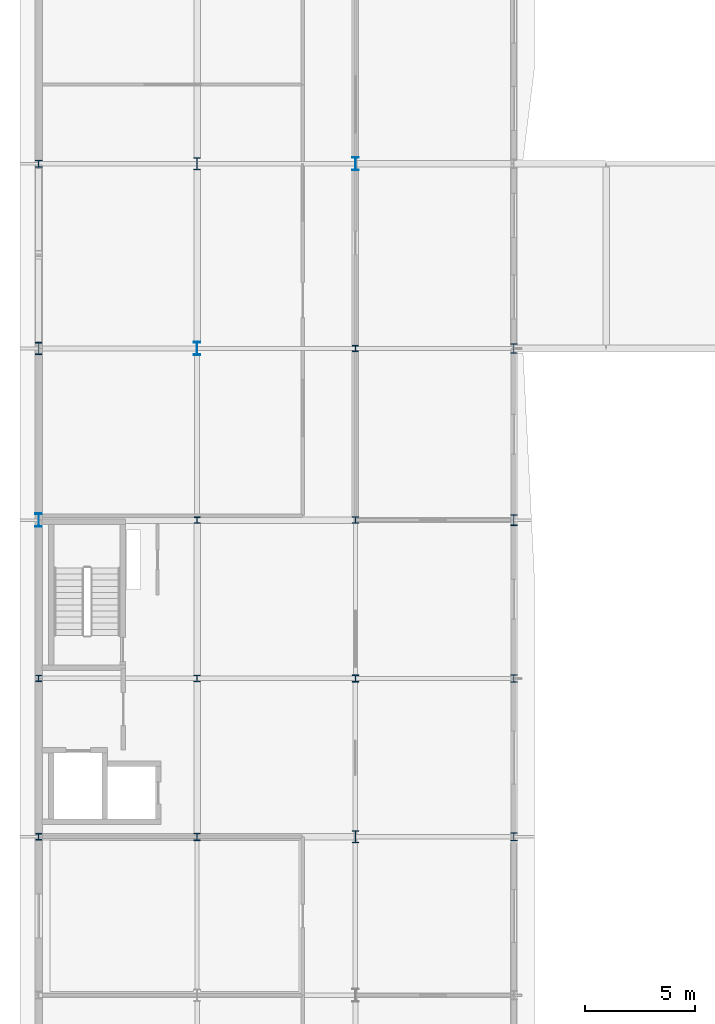
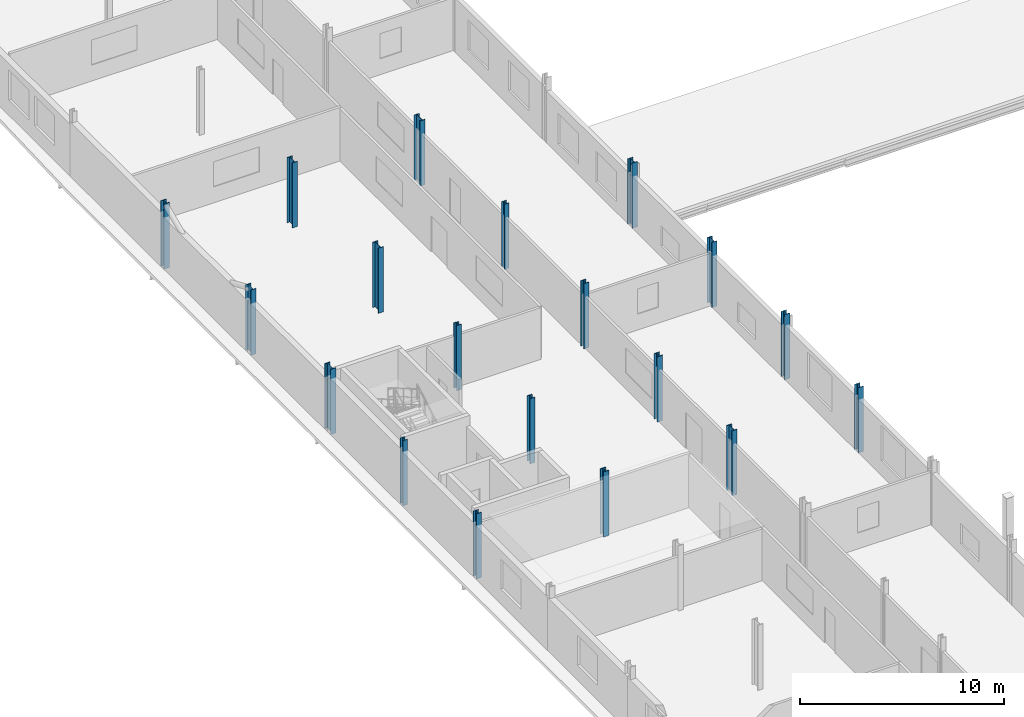
# One storey, part 13 of 78: 19 columns.
"""IFC4 building model written with IfcOpenShell, lengths in metres."""

from ifc_helpers import new_model, si_unit, direction, frame, origin, origin_2d, place, context, subcontext, project, spatial, i_section, extrude, material, material_profile, profile_set, type_object, element, save


model = new_model("IFC4")

# Units and contexts
model_context = context("Model", 3, precision=1e-05, world=origin(), true_north=direction((0.0, 1.0)))
body_context = subcontext(model_context, "Body", "Model", "MODEL_VIEW")
ifc_project = project(units=[si_unit("LENGTHUNIT", "METRE"), si_unit("AREAUNIT", "SQUARE_METRE"), si_unit("VOLUMEUNIT", "CUBIC_METRE"), si_unit("PLANEANGLEUNIT", "RADIAN"), si_unit("MASSUNIT", "GRAM", prefix="KILO")], contexts=[model_context])

# Site, building, storey
site_placement = place(None, origin())
site = spatial("IfcSite", under=ifc_project, at=site_placement, CompositionType="ELEMENT")
building_placement = place(site_placement, origin())
building = spatial("IfcBuilding", under=site, at=building_placement, Name="Vinh Khe Railworks Police Headquarters", CompositionType="ELEMENT")
storey_placement = place(building_placement, frame((0.0, 0.0, 13.199951171875)))
storey = spatial("IfcBuildingStorey", under=building, at=storey_placement, Name="L03", CompositionType="ELEMENT", Elevation=13.199951171875)

# Columns
ifc_material = material(Name="Steel S355JR", Category="steel")
ifc_material_profile_1 = material_profile(ifc_material, i_section(OverallWidth=0.300048828125, OverallDepth=0.340087890625, WebThickness=0.011962890625, FlangeThickness=0.021484375, FilletRadius=0.027099609375, at=origin_2d()), Name="HEB 340")
ifc_profile_set_1 = profile_set([ifc_material_profile_1], Name="Steel S355JR")
column_type_1 = type_object("IfcColumnType", Name="Steel Column HEB 340", PredefinedType="COLUMN", material=ifc_profile_set_1)
column_1_placement = place(storey_placement, frame((22.199951171875, 81.0, 0.0), z_axis=(0.0, 0.0, 1.0), x_axis=(1.0, 0.0, 0.0)))
element("IfcColumn", 1, at=column_1_placement, inside=storey, type_object=column_type_1, Name="Column COL-L03-SC-10-0602", PredefinedType="COLUMN", context=body_context, shape_type="SweptSolid", body=[
    extrude(i_section(OverallWidth=0.300048828125, OverallDepth=0.340087890625, WebThickness=0.011962890625, FlangeThickness=0.021484375, FilletRadius=0.027099609375, at=origin_2d()), origin(), (0.0, 0.0, 1.0), 3.900146484375),
])
ifc_material_profile_2 = material_profile(ifc_material, i_section(OverallWidth=0.300048828125, OverallDepth=0.360107421875, WebThickness=0.012451171875, FlangeThickness=0.0224609375, FilletRadius=0.027099609375, at=origin_2d()), Name="HEB 360")
ifc_profile_set_2 = profile_set([ifc_material_profile_2], Name="Steel S355JR")
column_type_2 = type_object("IfcColumnType", Name="Steel Column HEB 360", PredefinedType="COLUMN", material=ifc_profile_set_2)
column_2_placement = place(storey_placement, frame((22.199951171875, 73.800048828125, 0.0), z_axis=(0.0, 0.0, 1.0), x_axis=(1.0, 0.0, 0.0)))
element("IfcColumn", 2, at=column_2_placement, inside=storey, type_object=column_type_2, Name="Column COL-L03-SC-09-0593", PredefinedType="COLUMN", context=body_context, shape_type="SweptSolid", body=[
    extrude(i_section(OverallWidth=0.300048828125, OverallDepth=0.360107421875, WebThickness=0.012451171875, FlangeThickness=0.0224609375, FilletRadius=0.027099609375, at=origin_2d()), origin(), (0.0, 0.0, 1.0), 3.900146484375),
])
ifc_material_profile_3 = material_profile(ifc_material, i_section(OverallWidth=0.300048828125, OverallDepth=0.449951171875, WebThickness=0.013916015625, FlangeThickness=0.02587890625, FilletRadius=0.027099609375, at=origin_2d()), Name="HEB 450")
ifc_profile_set_3 = profile_set([ifc_material_profile_3], Name="Steel S355JR")
column_type_3 = type_object("IfcColumnType", Name="Steel Column HEB 450", PredefinedType="COLUMN", material=ifc_profile_set_3)
column_3_placement = place(storey_placement, frame((22.199951171875, 96.0, 0.0), z_axis=(0.0, 0.0, 1.0), x_axis=(1.0, 0.0, 0.0)))
element("IfcColumn", 3, at=column_3_placement, inside=storey, type_object=column_type_3, Name="Column COL-L03-SC-07-0620", PredefinedType="COLUMN", context=body_context, shape_type="SweptSolid", body=[
    extrude(i_section(OverallWidth=0.300048828125, OverallDepth=0.449951171875, WebThickness=0.013916015625, FlangeThickness=0.02587890625, FilletRadius=0.027099609375, at=origin_2d()), origin(), (0.0, 0.0, 1.0), 3.900146484375),
])
ifc_material_profile_4 = material_profile(ifc_material, i_section(OverallWidth=0.300048828125, OverallDepth=0.5, WebThickness=0.014404296875, FlangeThickness=0.028076171875, FilletRadius=0.027099609375, at=origin_2d()), Name="HEB 500")
ifc_profile_set_4 = profile_set([ifc_material_profile_4], Name="Steel S355JR")
column_type_4 = type_object("IfcColumnType", Name="Steel Column HEB 500", PredefinedType="COLUMN", material=ifc_profile_set_4)
column_4_placement = place(storey_placement, frame((22.199951171875, 88.199951171875, 0.0), z_axis=(0.0, 0.0, 1.0), x_axis=(1.0, 0.0, 0.0)))
element("IfcColumn", 4, at=column_4_placement, inside=storey, type_object=column_type_4, Name="Column COL-L03-SC-06-0611", PredefinedType="COLUMN", context=body_context, shape_type="SweptSolid", body=[
    extrude(i_section(OverallWidth=0.300048828125, OverallDepth=0.5, WebThickness=0.014404296875, FlangeThickness=0.028076171875, FilletRadius=0.027099609375, at=origin_2d()), origin(), (0.0, 0.0, 1.0), 3.900146484375),
])
ifc_material_profile_5 = material_profile(ifc_material, i_section(OverallWidth=0.300048828125, OverallDepth=0.550048828125, WebThickness=0.014892578125, FlangeThickness=0.029052734375, FilletRadius=0.027099609375, at=origin_2d()), Name="HEB 550")
ifc_profile_set_5 = profile_set([ifc_material_profile_5], Name="Steel S355JR")
column_type_5 = type_object("IfcColumnType", Name="Steel Column HEB 550", PredefinedType="COLUMN", material=ifc_profile_set_5)
for number, where, z_axis, x_axis, name in (
    (5, (0.60009765625, 96.0, 0.0), (0.0, 0.0, 1.0), (1.0, 0.0, 0.0), "Column COL-L03-SC-05-0131"),
    (6, (7.800048828125, 104.39990234375, 0.0), (0.0, 0.0, 1.0), (1.0, 0.0, 0.0), "Column COL-L03-SC-05-0308"),
    (7, (15.0, 73.800048828125, 0.0), (0.0, 0.0, 1.0), (1.0, 0.0, 0.0), "Column COL-L03-SC-05-0435"),
):
    element("IfcColumn", number, at=place(storey_placement, frame(where, z_axis=z_axis, x_axis=x_axis)), inside=storey, type_object=column_type_5, Name=name, PredefinedType="COLUMN", context=body_context, shape_type="SweptSolid", body=[
        extrude(i_section(OverallWidth=0.300048828125, OverallDepth=0.550048828125, WebThickness=0.014892578125, FlangeThickness=0.029052734375, FilletRadius=0.027099609375, at=origin_2d()), origin(), (0.0, 0.0, 1.0), 3.900146484375),
    ])
ifc_material_profile_6 = material_profile(ifc_material, i_section(OverallWidth=0.300048828125, OverallDepth=0.60009765625, WebThickness=0.015380859375, FlangeThickness=0.030029296875, FilletRadius=0.027099609375, at=origin_2d()), Name="HEB 600")
ifc_profile_set_6 = profile_set([ifc_material_profile_6], Name="Steel S355JR")
column_type_6 = type_object("IfcColumnType", Name="Steel Column HEB 600", PredefinedType="COLUMN", material=ifc_profile_set_6)
for number, where, z_axis, x_axis, name in (
    (8, (0.60009765625, 88.199951171875, 0.0), (0.0, 0.0, 1.0), (1.0, 0.0, 0.0), "Column COL-L03-SC-04-0121"),
    (9, (7.800048828125, 96.0, 0.0), (0.0, 0.0, 1.0), (1.0, 0.0, 0.0), "Column COL-L03-SC-04-0298"),
    (10, (15.0, 104.39990234375, 0.0), (0.0, 0.0, 1.0), (1.0, 0.0, 0.0), "Column COL-L03-SC-04-0475"),
):
    element("IfcColumn", number, at=place(storey_placement, frame(where, z_axis=z_axis, x_axis=x_axis)), inside=storey, type_object=column_type_6, Name=name, PredefinedType="COLUMN", context=body_context, shape_type="SweptSolid", body=[
        extrude(i_section(OverallWidth=0.300048828125, OverallDepth=0.60009765625, WebThickness=0.015380859375, FlangeThickness=0.030029296875, FilletRadius=0.027099609375, at=origin_2d()), origin(), (0.0, 0.0, 1.0), 3.900146484375),
    ])
ifc_material_profile_7 = material_profile(ifc_material, i_section(OverallWidth=0.26806640625, OverallDepth=0.2900390625, WebThickness=0.01806640625, FlangeThickness=0.032470703125, FilletRadius=0.02392578125, at=origin_2d()), Name="HEM 260")
ifc_profile_set_7 = profile_set([ifc_material_profile_7], Name="Steel S355JR")
column_type_7 = type_object("IfcColumnType", Name="Steel Column HEM 260", PredefinedType="COLUMN", material=ifc_profile_set_7)
for number, where, z_axis, x_axis, name in (
    (11, (0.60009765625, 81.0, 0.0), (0.0, 0.0, 1.0), (1.0, 0.0, 0.0), "Column COL-L03-SC-03-0111"),
    (12, (7.800048828125, 88.199951171875, 0.0), (0.0, 0.0, 1.0), (1.0, 0.0, 0.0), "Column COL-L03-SC-03-0288"),
    (13, (15.0, 96.0, 0.0), (0.0, 0.0, 1.0), (1.0, 0.0, 0.0), "Column COL-L03-SC-03-0465"),
):
    element("IfcColumn", number, at=place(storey_placement, frame(where, z_axis=z_axis, x_axis=x_axis)), inside=storey, type_object=column_type_7, Name=name, PredefinedType="COLUMN", context=body_context, shape_type="SweptSolid", body=[
        extrude(i_section(OverallWidth=0.26806640625, OverallDepth=0.2900390625, WebThickness=0.01806640625, FlangeThickness=0.032470703125, FilletRadius=0.02392578125, at=origin_2d()), origin(), (0.0, 0.0, 1.0), 3.900146484375),
    ])
ifc_material_profile_8 = material_profile(ifc_material, i_section(OverallWidth=0.2880859375, OverallDepth=0.31005859375, WebThickness=0.0185546875, FlangeThickness=0.032958984375, FilletRadius=0.02392578125, at=origin_2d()), Name="HEM 280")
ifc_profile_set_8 = profile_set([ifc_material_profile_8], Name="Steel S355JR")
column_type_8 = type_object("IfcColumnType", Name="Steel Column HEM 280", PredefinedType="COLUMN", material=ifc_profile_set_8)
for number, where, z_axis, x_axis, name in (
    (14, (0.60009765625, 73.800048828125, 0.0), (0.0, 0.0, 1.0), (1.0, 0.0, 0.0), "Column COL-L03-SC-02-0101"),
    (15, (7.800048828125, 81.0, 0.0), (0.0, 0.0, 1.0), (1.0, 0.0, 0.0), "Column COL-L03-SC-02-0278"),
    (16, (15.0, 88.199951171875, 0.0), (0.0, 0.0, 1.0), (1.0, 0.0, 0.0), "Column COL-L03-SC-02-0455"),
):
    element("IfcColumn", number, at=place(storey_placement, frame(where, z_axis=z_axis, x_axis=x_axis)), inside=storey, type_object=column_type_8, Name=name, PredefinedType="COLUMN", context=body_context, shape_type="SweptSolid", body=[
        extrude(i_section(OverallWidth=0.2880859375, OverallDepth=0.31005859375, WebThickness=0.0185546875, FlangeThickness=0.032958984375, FilletRadius=0.02392578125, at=origin_2d()), origin(), (0.0, 0.0, 1.0), 3.900146484375),
    ])
ifc_material_profile_9 = material_profile(ifc_material, i_section(OverallWidth=0.31005859375, OverallDepth=0.340087890625, WebThickness=0.02099609375, FlangeThickness=0.0390625, FilletRadius=0.027099609375, at=origin_2d()), Name="HEM 300")
ifc_profile_set_9 = profile_set([ifc_material_profile_9], Name="Steel S355JR")
column_type_9 = type_object("IfcColumnType", Name="Steel Column HEM 300", PredefinedType="COLUMN", material=ifc_profile_set_9)
for number, where, z_axis, x_axis, name in (
    (17, (0.60009765625, 104.39990234375, 0.0), (0.0, 0.0, 1.0), (1.0, 0.0, 0.0), "Column COL-L03-SC-01-0141"),
    (18, (7.800048828125, 73.800048828125, 0.0), (0.0, 0.0, 1.0), (1.0, 0.0, 0.0), "Column COL-L03-SC-01-0268"),
    (19, (15.0, 81.0, 0.0), (0.0, 0.0, 1.0), (1.0, 0.0, 0.0), "Column COL-L03-SC-01-0445"),
):
    element("IfcColumn", number, at=place(storey_placement, frame(where, z_axis=z_axis, x_axis=x_axis)), inside=storey, type_object=column_type_9, Name=name, PredefinedType="COLUMN", context=body_context, shape_type="SweptSolid", body=[
        extrude(i_section(OverallWidth=0.31005859375, OverallDepth=0.340087890625, WebThickness=0.02099609375, FlangeThickness=0.0390625, FilletRadius=0.027099609375, at=origin_2d()), origin(), (0.0, 0.0, 1.0), 3.900146484375),
    ])

save(model, "model.ifc")
